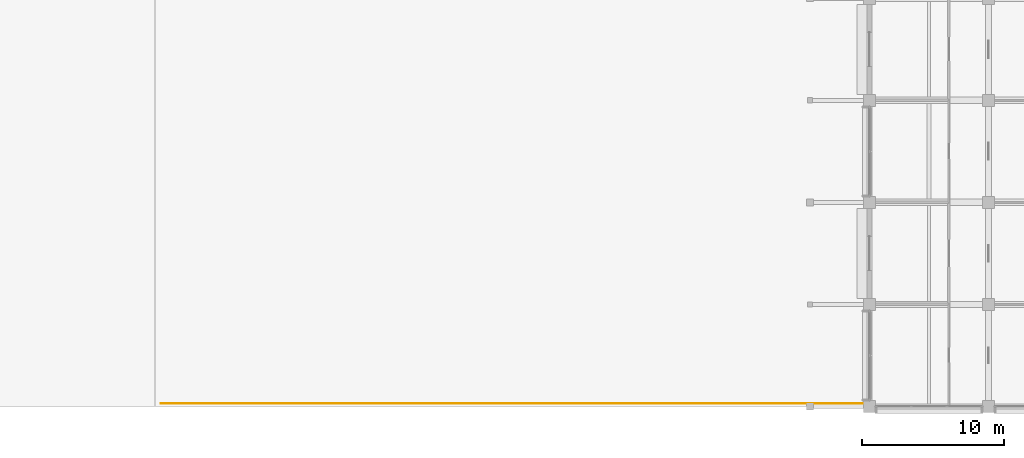
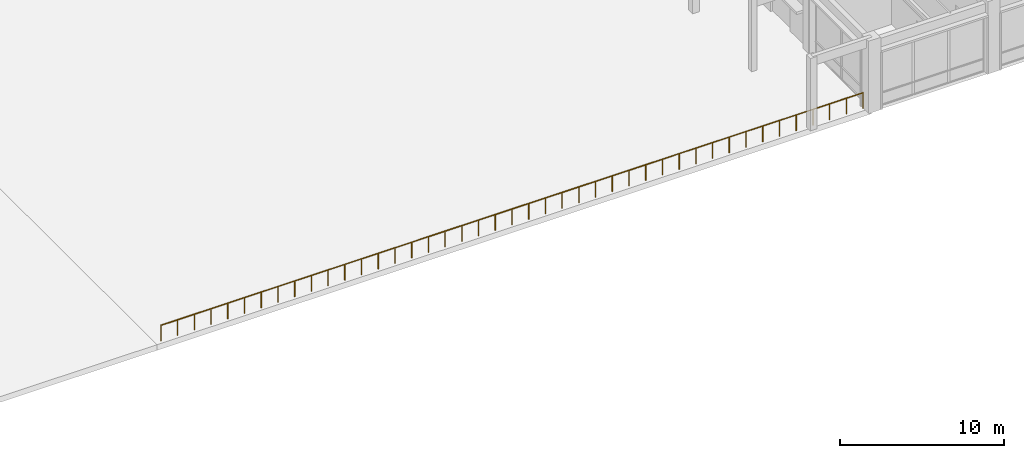
# One storey, part 65 of 73: 1 railing.
"""IFC4 building model written with IfcOpenShell, lengths in metres."""

from ifc_helpers import new_model, si_unit, direction, frame, origin, origin_2d, place, context, subcontext, project, spatial, circle, extrude, material, type_object, element, save


model = new_model("IFC4")

# Units and contexts
model_context = context("Model", 3, precision=1e-05, world=origin(), true_north=direction((0.0, 1.0)))
body_context = subcontext(model_context, "Body", "Model", "MODEL_VIEW")
ifc_project = project(units=[si_unit("LENGTHUNIT", "METRE"), si_unit("AREAUNIT", "SQUARE_METRE"), si_unit("VOLUMEUNIT", "CUBIC_METRE"), si_unit("PLANEANGLEUNIT", "RADIAN"), si_unit("MASSUNIT", "GRAM", prefix="KILO")], contexts=[model_context])

# Site, building, storey
site_placement = place(None, origin())
site = spatial("IfcSite", under=ifc_project, at=site_placement, CompositionType="ELEMENT")
building_placement = place(site_placement, origin())
building = spatial("IfcBuilding", under=site, at=building_placement, Name="Chengyuan Square Courthouse", CompositionType="ELEMENT")
storey_placement = place(building_placement, origin())
storey = spatial("IfcBuildingStorey", under=building, at=storey_placement, Name="L01", CompositionType="ELEMENT", Elevation=0.0)

# Railing
ifc_material = material(Name="Stainless Steel S30408 and Laminated Glass Balustrade", Category="steel")
railing_type = type_object("IfcRailingType", Name="RL-01", PredefinedType="BALUSTRADE", material=ifc_material)
railing_placement = place(storey_placement, frame((101.199951171875, 0.219970703125, 0.0)))
element("IfcRailing", 1, at=railing_placement, inside=storey, type_object=railing_type, Name="Civic Forecourt Perimeter Balustrade RL-FC-SE", PredefinedType="BALUSTRADE", context=body_context, shape_type="SweptSolid", body=[
    extrude(circle(Radius=0.02392578125, at=origin_2d()), frame((0.0, 0.0, 1.17578125), z_axis=(1.0, 0.0, 0.0), x_axis=(0.0, 1.0, 0.0)), (0.0, 0.0, 1.0), 49.550048828125),
    extrude(circle(Radius=0.02099609375, at=origin_2d()), origin(), (0.0, 0.0, 1.0), 1.15185546875),
    extrude(circle(Radius=0.02099609375, at=origin_2d()), frame((1.1796875, 0.0, 0.0)), (0.0, 0.0, 1.0), 1.15185546875),
    extrude(circle(Radius=0.02099609375, at=origin_2d()), frame((2.359619140625, 0.0, 0.0)), (0.0, 0.0, 1.0), 1.15185546875),
    extrude(circle(Radius=0.02099609375, at=origin_2d()), frame((3.539306640625, 0.0, 0.0)), (0.0, 0.0, 1.0), 1.15185546875),
    extrude(circle(Radius=0.02099609375, at=origin_2d()), frame((4.718994140625, 0.0, 0.0)), (0.0, 0.0, 1.0), 1.15185546875),
    extrude(circle(Radius=0.02099609375, at=origin_2d()), frame((5.89892578125, 0.0, 0.0)), (0.0, 0.0, 1.0), 1.15185546875),
    extrude(circle(Radius=0.02099609375, at=origin_2d()), frame((7.07861328125, 0.0, 0.0)), (0.0, 0.0, 1.0), 1.15185546875),
    extrude(circle(Radius=0.02099609375, at=origin_2d()), frame((8.25830078125, 0.0, 0.0)), (0.0, 0.0, 1.0), 1.15185546875),
    extrude(circle(Radius=0.02099609375, at=origin_2d()), frame((9.43798828125, 0.0, 0.0)), (0.0, 0.0, 1.0), 1.15185546875),
    extrude(circle(Radius=0.02099609375, at=origin_2d()), frame((10.617919921875, 0.0, 0.0)), (0.0, 0.0, 1.0), 1.15185546875),
    extrude(circle(Radius=0.02099609375, at=origin_2d()), frame((11.797607421875, 0.0, 0.0)), (0.0, 0.0, 1.0), 1.15185546875),
    extrude(circle(Radius=0.02099609375, at=origin_2d()), frame((12.977294921875, 0.0, 0.0)), (0.0, 0.0, 1.0), 1.15185546875),
    extrude(circle(Radius=0.02099609375, at=origin_2d()), frame((14.1572265625, 0.0, 0.0)), (0.0, 0.0, 1.0), 1.15185546875),
    extrude(circle(Radius=0.02099609375, at=origin_2d()), frame((15.3369140625, 0.0, 0.0)), (0.0, 0.0, 1.0), 1.15185546875),
    extrude(circle(Radius=0.02099609375, at=origin_2d()), frame((16.5166015625, 0.0, 0.0)), (0.0, 0.0, 1.0), 1.15185546875),
    extrude(circle(Radius=0.02099609375, at=origin_2d()), frame((17.696533203125, 0.0, 0.0)), (0.0, 0.0, 1.0), 1.15185546875),
    extrude(circle(Radius=0.02099609375, at=origin_2d()), frame((18.876220703125, 0.0, 0.0)), (0.0, 0.0, 1.0), 1.15185546875),
    extrude(circle(Radius=0.02099609375, at=origin_2d()), frame((20.055908203125, 0.0, 0.0)), (0.0, 0.0, 1.0), 1.15185546875),
    extrude(circle(Radius=0.02099609375, at=origin_2d()), frame((21.23583984375, 0.0, 0.0)), (0.0, 0.0, 1.0), 1.15185546875),
    extrude(circle(Radius=0.02099609375, at=origin_2d()), frame((22.41552734375, 0.0, 0.0)), (0.0, 0.0, 1.0), 1.15185546875),
    extrude(circle(Radius=0.02099609375, at=origin_2d()), frame((23.59521484375, 0.0, 0.0)), (0.0, 0.0, 1.0), 1.15185546875),
    extrude(circle(Radius=0.02099609375, at=origin_2d()), frame((24.77490234375, 0.0, 0.0)), (0.0, 0.0, 1.0), 1.15185546875),
    extrude(circle(Radius=0.02099609375, at=origin_2d()), frame((25.954833984375, 0.0, 0.0)), (0.0, 0.0, 1.0), 1.15185546875),
    extrude(circle(Radius=0.02099609375, at=origin_2d()), frame((27.134521484375, 0.0, 0.0)), (0.0, 0.0, 1.0), 1.15185546875),
    extrude(circle(Radius=0.02099609375, at=origin_2d()), frame((28.314208984375, 0.0, 0.0)), (0.0, 0.0, 1.0), 1.15185546875),
    extrude(circle(Radius=0.02099609375, at=origin_2d()), frame((29.494140625, 0.0, 0.0)), (0.0, 0.0, 1.0), 1.15185546875),
    extrude(circle(Radius=0.02099609375, at=origin_2d()), frame((30.673828125, 0.0, 0.0)), (0.0, 0.0, 1.0), 1.15185546875),
    extrude(circle(Radius=0.02099609375, at=origin_2d()), frame((31.853515625, 0.0, 0.0)), (0.0, 0.0, 1.0), 1.15185546875),
    extrude(circle(Radius=0.02099609375, at=origin_2d()), frame((33.033447265625, 0.0, 0.0)), (0.0, 0.0, 1.0), 1.15185546875),
    extrude(circle(Radius=0.02099609375, at=origin_2d()), frame((34.213134765625, 0.0, 0.0)), (0.0, 0.0, 1.0), 1.15185546875),
    extrude(circle(Radius=0.02099609375, at=origin_2d()), frame((35.392822265625, 0.0, 0.0)), (0.0, 0.0, 1.0), 1.15185546875),
    extrude(circle(Radius=0.02099609375, at=origin_2d()), frame((36.57275390625, 0.0, 0.0)), (0.0, 0.0, 1.0), 1.15185546875),
    extrude(circle(Radius=0.02099609375, at=origin_2d()), frame((37.75244140625, 0.0, 0.0)), (0.0, 0.0, 1.0), 1.15185546875),
    extrude(circle(Radius=0.02099609375, at=origin_2d()), frame((38.93212890625, 0.0, 0.0)), (0.0, 0.0, 1.0), 1.15185546875),
    extrude(circle(Radius=0.02099609375, at=origin_2d()), frame((40.112060546875, 0.0, 0.0)), (0.0, 0.0, 1.0), 1.15185546875),
    extrude(circle(Radius=0.02099609375, at=origin_2d()), frame((41.291748046875, 0.0, 0.0)), (0.0, 0.0, 1.0), 1.15185546875),
    extrude(circle(Radius=0.02099609375, at=origin_2d()), frame((42.471435546875, 0.0, 0.0)), (0.0, 0.0, 1.0), 1.15185546875),
    extrude(circle(Radius=0.02099609375, at=origin_2d()), frame((43.651123046875, 0.0, 0.0)), (0.0, 0.0, 1.0), 1.15185546875),
    extrude(circle(Radius=0.02099609375, at=origin_2d()), frame((44.8310546875, 0.0, 0.0)), (0.0, 0.0, 1.0), 1.15185546875),
    extrude(circle(Radius=0.02099609375, at=origin_2d()), frame((46.0107421875, 0.0, 0.0)), (0.0, 0.0, 1.0), 1.15185546875),
    extrude(circle(Radius=0.02099609375, at=origin_2d()), frame((47.1904296875, 0.0, 0.0)), (0.0, 0.0, 1.0), 1.15185546875),
    extrude(circle(Radius=0.02099609375, at=origin_2d()), frame((48.370361328125, 0.0, 0.0)), (0.0, 0.0, 1.0), 1.15185546875),
    extrude(circle(Radius=0.02099609375, at=origin_2d()), frame((49.550048828125, 0.0, 0.0)), (0.0, 0.0, 1.0), 1.15185546875),
])

save(model, "model.ifc")
